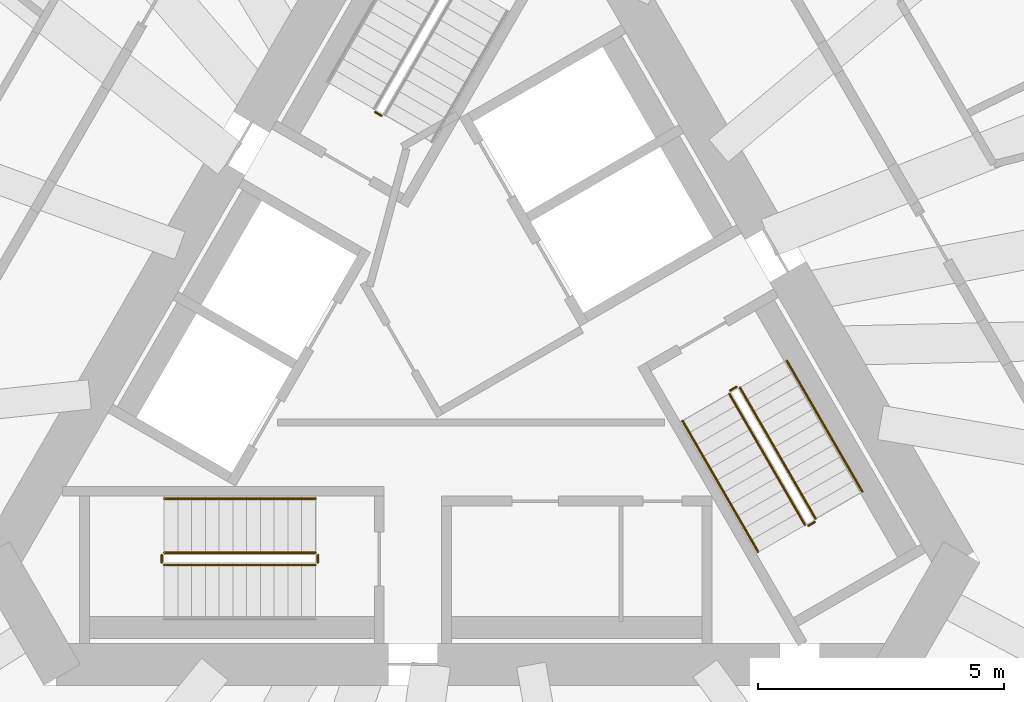
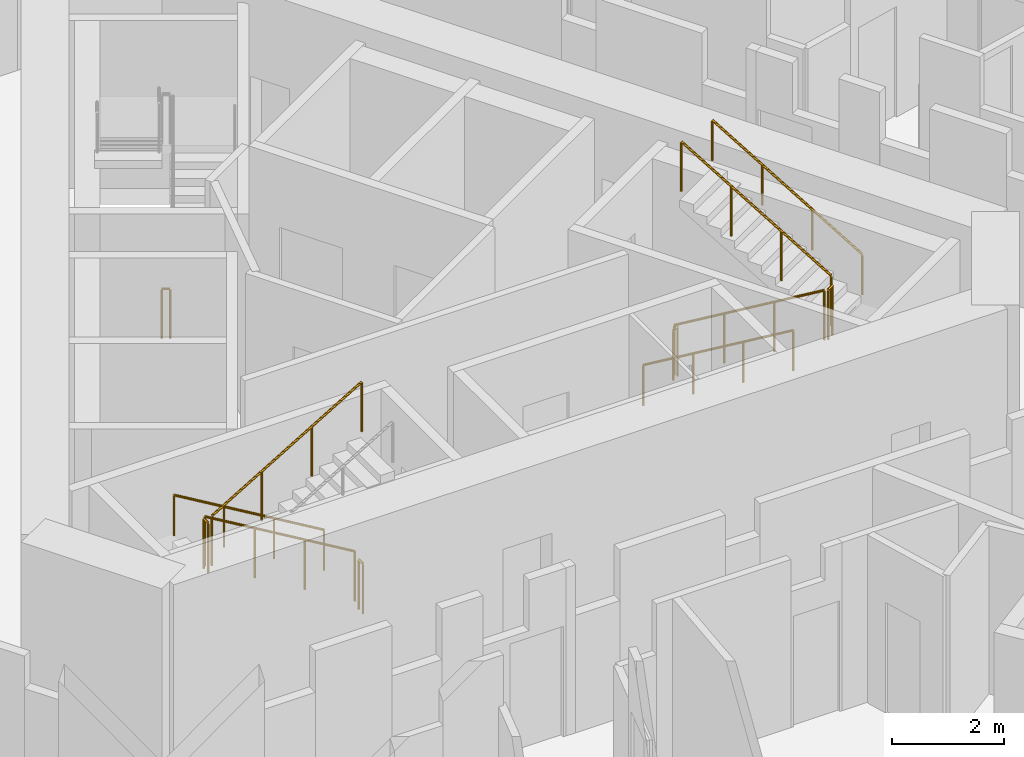
# One storey, part 11 of 14: 12 railings.
"""IFC4 building model written with IfcOpenShell, lengths in metres."""

from ifc_helpers import new_model, si_unit, direction, frame, origin, origin_2d, place, context, subcontext, project, spatial, circle, extrude, material, type_object, element, save


model = new_model("IFC4")

# Units and contexts
model_context = context("Model", 3, precision=1e-05, world=origin(), true_north=direction((0.0, 1.0)))
body_context = subcontext(model_context, "Body", "Model", "MODEL_VIEW")
ifc_project = project(units=[si_unit("LENGTHUNIT", "METRE"), si_unit("AREAUNIT", "SQUARE_METRE"), si_unit("VOLUMEUNIT", "CUBIC_METRE"), si_unit("PLANEANGLEUNIT", "RADIAN"), si_unit("MASSUNIT", "GRAM", prefix="KILO")], contexts=[model_context])

# Site, building, storey
site_placement = place(None, origin())
site = spatial("IfcSite", under=ifc_project, at=site_placement, CompositionType="ELEMENT")
building_placement = place(site_placement, origin())
building = spatial("IfcBuilding", under=site, at=building_placement, Name="Tramontana Tower", CompositionType="ELEMENT")
storey_placement = place(building_placement, frame((0.0, 0.0, 174.800048828125)))
storey = spatial("IfcBuildingStorey", under=building, at=storey_placement, Name="L40", CompositionType="ELEMENT", Elevation=174.800048828125)

# Railings
ifc_material_1 = material(Name="Painted steel", Category="steel")
railing_type_1 = type_object("IfcRailingType", Name="STAIR GUARD 1100", PredefinedType="GUARDRAIL", material=ifc_material_1)
railing_1_placement = place(storey_placement, frame((-1.935791015625, 4.84716796875, 0.0)))
element("IfcRailing", 1, at=railing_1_placement, inside=storey, type_object=railing_type_1, Name="L40 ST1 stair guard 4", PredefinedType="GUARDRAIL", context=body_context, shape_type="SweptSolid", body=[
    extrude(circle(Radius=0.02392578125, at=origin_2d()), frame((0.0, 0.0, 1.076171875), z_axis=(-0.865426285481, 0.501036270542, 0.0), x_axis=(-0.501036270542, -0.865426285481, 0.0)), (0.0, 0.0, 1.0), 0.150146484375),
    extrude(circle(Radius=0.02099609375, at=origin_2d()), origin(), (0.0, 0.0, 1.0), 1.052001953125),
    extrude(circle(Radius=0.02099609375, at=origin_2d()), frame((-0.1298828125, 0.0751953125, 0.0)), (0.0, 0.0, 1.0), 1.052001953125),
])
railing_2_placement = place(storey_placement, frame((-3.280029296875, -4.050048828125, 0.16650390625)))
element("IfcRailing", 2, at=railing_2_placement, inside=storey, type_object=railing_type_1, Name="L40 ST2 stair guard 1", PredefinedType="GUARDRAIL", context=body_context, shape_type="SweptSolid", body=[
    extrude(circle(Radius=0.02392578125, at=origin_2d()), frame((0.0, 0.0, 1.076171875), z_axis=(-0.85927862911, 0.0, 0.511507807912), x_axis=(0.0, -1.0, 0.0)), (0.0, 0.0, 1.0), 3.58447265625),
    extrude(circle(Radius=0.02099609375, at=origin_2d()), origin(), (0.0, 0.0, 1.0), 1.052001953125),
    extrude(circle(Radius=0.02099609375, at=origin_2d()), frame((-1.026611328125, 0.0, 0.611083984375)), (0.0, 0.0, 1.0), 1.052001953125),
    extrude(circle(Radius=0.02099609375, at=origin_2d()), frame((-2.053466796875, 0.0, 1.222412109375)), (0.0, 0.0, 1.0), 1.052001953125),
    extrude(circle(Radius=0.02099609375, at=origin_2d()), frame((-3.080078125, 0.0, 1.83349609375)), (0.0, 0.0, 1.0), 1.052001953125),
])
railing_3_placement = place(storey_placement, frame((-6.360107421875, -4.300048828125, 2.16650390625)))
element("IfcRailing", 3, at=railing_3_placement, inside=storey, type_object=railing_type_1, Name="L40 ST2 stair guard 2", PredefinedType="GUARDRAIL", context=body_context, shape_type="SweptSolid", body=[
    extrude(circle(Radius=0.02392578125, at=origin_2d()), frame((0.0, 0.0, 1.076171875), z_axis=(0.85927862911, 0.0, 0.511507807912), x_axis=(0.0, 1.0, 0.0)), (0.0, 0.0, 1.0), 3.58447265625),
    extrude(circle(Radius=0.02099609375, at=origin_2d()), origin(), (0.0, 0.0, 1.0), 1.052001953125),
    extrude(circle(Radius=0.02099609375, at=origin_2d()), frame((1.026611328125, 0.0, 0.611083984375)), (0.0, 0.0, 1.0), 1.052001953125),
    extrude(circle(Radius=0.02099609375, at=origin_2d()), frame((2.053466796875, 0.0, 1.222412109375)), (0.0, 0.0, 1.0), 1.052001953125),
    extrude(circle(Radius=0.02099609375, at=origin_2d()), frame((3.080078125, 0.0, 1.83349609375)), (0.0, 0.0, 1.0), 1.052001953125),
])
for number, where, name in (
    (4, (-6.409912109375, -4.10009765625, 2.0), "L40 ST2 stair guard 3"),
    (5, (-3.22998046875, -4.10009765625, 0.0), "L40 ST2 stair guard 4"),
):
    element("IfcRailing", number, at=place(storey_placement, frame(where)), inside=storey, type_object=railing_type_1, Name=name, PredefinedType="GUARDRAIL", context=body_context, shape_type="SweptSolid", body=[
        extrude(circle(Radius=0.02392578125, at=origin_2d()), frame((0.0, 0.0, 1.076171875), z_axis=(0.0, -1.0, 0.0), x_axis=(1.0, 0.0, 0.0)), (0.0, 0.0, 1.0), 0.14990234375),
        extrude(circle(Radius=0.02099609375, at=origin_2d()), origin(), (0.0, 0.0, 1.0), 1.052001953125),
        extrude(circle(Radius=0.02099609375, at=origin_2d()), frame((0.0, -0.14990234375, 0.0)), (0.0, 0.0, 1.0), 1.052001953125),
    ])
railing_4_placement = place(storey_placement, frame((5.1474609375, -0.815673828125, 0.16650390625)))
element("IfcRailing", 6, at=railing_4_placement, inside=storey, type_object=railing_type_1, Name="L40 ST3 stair guard 1", PredefinedType="GUARDRAIL", context=body_context, shape_type="SweptSolid", body=[
    extrude(circle(Radius=0.02392578125, at=origin_2d()), frame((0.0, 0.0, 1.076171875), z_axis=(0.429656224001, -0.744133520484, 0.511527939481), x_axis=(0.866010015463, 0.500026652407, 0.0)), (0.0, 0.0, 1.0), 3.58447265625),
    extrude(circle(Radius=0.02099609375, at=origin_2d()), origin(), (0.0, 0.0, 1.0), 1.052001953125),
    extrude(circle(Radius=0.02099609375, at=origin_2d()), frame((0.513427734375, -0.88916015625, 0.611083984375)), (0.0, 0.0, 1.0), 1.052001953125),
    extrude(circle(Radius=0.02099609375, at=origin_2d()), frame((1.026611328125, -1.778076171875, 1.222412109375)), (0.0, 0.0, 1.0), 1.052001953125),
    extrude(circle(Radius=0.02099609375, at=origin_2d()), frame((1.5400390625, -2.667236328125, 1.83349609375)), (0.0, 0.0, 1.0), 1.052001953125),
])
railing_5_placement = place(storey_placement, frame((6.90380859375, -3.35791015625, 2.16650390625)))
element("IfcRailing", 7, at=railing_5_placement, inside=storey, type_object=railing_type_1, Name="L40 ST3 stair guard 2", PredefinedType="GUARDRAIL", context=body_context, shape_type="SweptSolid", body=[
    extrude(circle(Radius=0.02392578125, at=origin_2d()), frame((0.0, 0.0, 1.076171875), z_axis=(-0.429600682602, 0.744155296881, 0.511542908886), x_axis=(-0.866044340336, -0.499967199496, 0.0)), (0.0, 0.0, 1.0), 3.584228515625),
    extrude(circle(Radius=0.02099609375, at=origin_2d()), origin(), (0.0, 0.0, 1.0), 1.052001953125),
    extrude(circle(Radius=0.02099609375, at=origin_2d()), frame((-0.51318359375, 0.88916015625, 0.611083984375)), (0.0, 0.0, 1.0), 1.052001953125),
    extrude(circle(Radius=0.02099609375, at=origin_2d()), frame((-1.026611328125, 1.778076171875, 1.222412109375)), (0.0, 0.0, 1.0), 1.052001953125),
    extrude(circle(Radius=0.02099609375, at=origin_2d()), frame((-1.539794921875, 2.667236328125, 1.83349609375)), (0.0, 0.0, 1.0), 1.052001953125),
])
for number, where, name in (
    (8, (6.755615234375, -3.501220703125, 2.0), "L40 ST3 stair guard 3"),
    (9, (5.165771484375, -0.747314453125, 0.0), "L40 ST3 stair guard 4"),
):
    element("IfcRailing", number, at=place(storey_placement, frame(where)), inside=storey, type_object=railing_type_1, Name=name, PredefinedType="GUARDRAIL", context=body_context, shape_type="SweptSolid", body=[
        extrude(circle(Radius=0.02392578125, at=origin_2d()), frame((0.0, 0.0, 1.076171875), z_axis=(0.866131372301, 0.499816412211, 0.0), x_axis=(-0.499816412211, 0.866131372301, 0.0)), (0.0, 0.0, 1.0), 0.14990234375),
        extrude(circle(Radius=0.02099609375, at=origin_2d()), origin(), (0.0, 0.0, 1.0), 1.052001953125),
        extrude(circle(Radius=0.02099609375, at=origin_2d()), frame((0.1298828125, 0.074951171875, 0.0)), (0.0, 0.0, 1.0), 1.052001953125),
    ])
ifc_material_2 = material(Name="Painted steel", Category="steel")
railing_type_2 = type_object("IfcRailingType", Name="STAIR HANDRAIL 900", PredefinedType="HANDRAIL", material=ifc_material_2)
railing_6_placement = place(storey_placement, frame((-3.280029296875, -2.949951171875, 0.16650390625)))
element("IfcRailing", 10, at=railing_6_placement, inside=storey, type_object=railing_type_2, Name="L40 ST2 stair handrail 1", PredefinedType="HANDRAIL", context=body_context, shape_type="SweptSolid", body=[
    extrude(circle(Radius=0.02392578125, at=origin_2d()), frame((0.0, 0.0, 0.8759765625), z_axis=(-0.85927862911, 0.0, 0.511507807912), x_axis=(0.0, -1.0, 0.0)), (0.0, 0.0, 1.0), 3.58447265625),
    extrude(circle(Radius=0.02099609375, at=origin_2d()), origin(), (0.0, 0.0, 1.0), 0.851806640625),
    extrude(circle(Radius=0.02099609375, at=origin_2d()), frame((-1.026611328125, 0.0, 0.611083984375)), (0.0, 0.0, 1.0), 0.851806640625),
    extrude(circle(Radius=0.02099609375, at=origin_2d()), frame((-2.053466796875, 0.0, 1.222412109375)), (0.0, 0.0, 1.0), 0.851806640625),
    extrude(circle(Radius=0.02099609375, at=origin_2d()), frame((-3.080078125, 0.0, 1.83349609375)), (0.0, 0.0, 1.0), 0.851806640625),
])
railing_7_placement = place(storey_placement, frame((4.19482421875, -1.365478515625, 0.16650390625)))
element("IfcRailing", 11, at=railing_7_placement, inside=storey, type_object=railing_type_2, Name="L40 ST3 stair handrail 1", PredefinedType="HANDRAIL", context=body_context, shape_type="SweptSolid", body=[
    extrude(circle(Radius=0.02392578125, at=origin_2d()), frame((0.0, 0.0, 0.8759765625), z_axis=(0.429634447492, -0.7441639146, 0.511502013422), x_axis=(0.866029832698, 0.499992328818, 0.0)), (0.0, 0.0, 1.0), 3.58447265625),
    extrude(circle(Radius=0.02099609375, at=origin_2d()), origin(), (0.0, 0.0, 1.0), 0.851806640625),
    extrude(circle(Radius=0.02099609375, at=origin_2d()), frame((0.513427734375, -0.88916015625, 0.611083984375)), (0.0, 0.0, 1.0), 0.851806640625),
    extrude(circle(Radius=0.02099609375, at=origin_2d()), frame((1.026611328125, -1.7783203125, 1.222412109375)), (0.0, 0.0, 1.0), 0.851806640625),
    extrude(circle(Radius=0.02099609375, at=origin_2d()), frame((1.5400390625, -2.66748046875, 1.83349609375)), (0.0, 0.0, 1.0), 0.851806640625),
])
railing_8_placement = place(storey_placement, frame((7.8564453125, -2.807861328125, 2.16650390625)))
element("IfcRailing", 12, at=railing_8_placement, inside=storey, type_object=railing_type_2, Name="L40 ST3 stair handrail 2", PredefinedType="HANDRAIL", context=body_context, shape_type="SweptSolid", body=[
    extrude(circle(Radius=0.02392578125, at=origin_2d()), frame((0.0, 0.0, 0.8759765625), z_axis=(-0.429600682602, 0.744155296881, 0.511542908886), x_axis=(-0.866044340336, -0.499967199496, 0.0)), (0.0, 0.0, 1.0), 3.584228515625),
    extrude(circle(Radius=0.02099609375, at=origin_2d()), origin(), (0.0, 0.0, 1.0), 0.851806640625),
    extrude(circle(Radius=0.02099609375, at=origin_2d()), frame((-0.51318359375, 0.88916015625, 0.611083984375)), (0.0, 0.0, 1.0), 0.851806640625),
    extrude(circle(Radius=0.02099609375, at=origin_2d()), frame((-1.026611328125, 1.778076171875, 1.222412109375)), (0.0, 0.0, 1.0), 0.851806640625),
    extrude(circle(Radius=0.02099609375, at=origin_2d()), frame((-1.539794921875, 2.667236328125, 1.83349609375)), (0.0, 0.0, 1.0), 0.851806640625),
])

save(model, "model.ifc")
